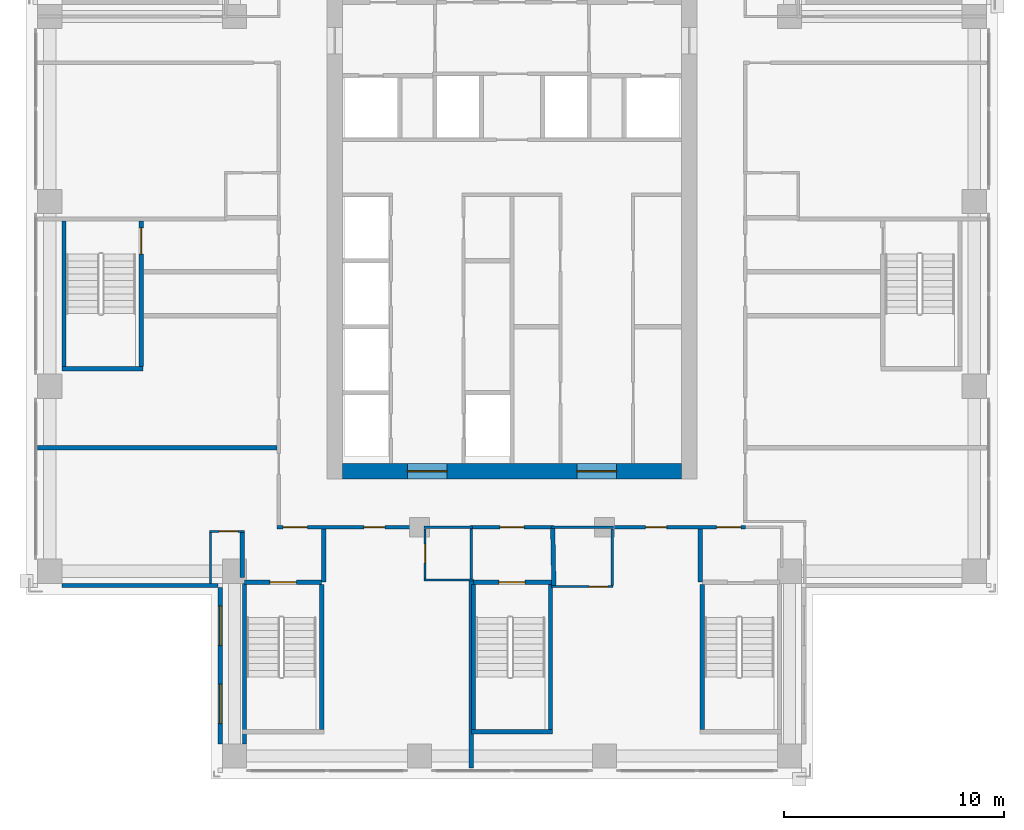
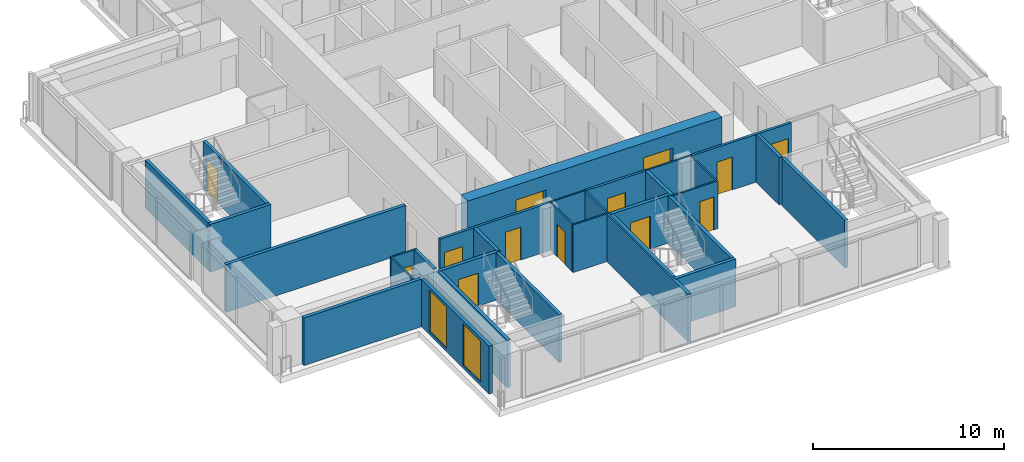
# One storey, part 9 of 16: 32 walls, 13 doors, 2 windows, 15 openings.
"""IFC4 building model written with IfcOpenShell, lengths in metres."""

import ifcopenshell
import ifcopenshell.guid

model = None  # the IFC model being written
_history = None  # IfcOwnerHistory: only IFC2X3 demands one
_inside = {}  # id of a spatial element -> (the spatial element, [elements in it])
_under = {}  # id of a project, library or spatial element -> (it, [spatial elements below it])
_declared = {}  # id of a project -> (the project, [libraries it declares])
_typed = {}  # id of a type object -> (the type object, [elements of that type])
_made_of = {}  # id of a material, layer set ... -> (it, [elements and type objects made of it])


def new_model(schema):
    """Start an empty IFC model of exactly this schema.

    Asked for "IFC4X3", IfcOpenShell would pick the latest addendum, in which some entities
    have other attributes; the version numbers below select the first issue.
    IFC2X3 requires an IfcOwnerHistory on every rooted entity: one is made here for all.
    """
    global model, _history
    if schema == "IFC4X3":
        model = ifcopenshell.file(schema_version=(4, 3, 0, 0))
    else:
        model = ifcopenshell.file(schema=schema)
    _inside.clear()
    _under.clear()
    _declared.clear()
    _typed.clear()
    _made_of.clear()
    _history = None
    if model.schema == "IFC2X3":
        org = make("IfcOrganization", Name="unknown")
        user = make(
            "IfcPersonAndOrganization",
            ThePerson=make("IfcPerson", FamilyName="unknown"),
            TheOrganization=org,
        )
        app = make(
            "IfcApplication",
            ApplicationDeveloper=org,
            Version="unknown",
            ApplicationFullName="unknown",
            ApplicationIdentifier="unknown",
        )
        _history = make(
            "IfcOwnerHistory",
            OwningUser=user,
            OwningApplication=app,
            ChangeAction="ADDED",
            CreationDate=0,
        )
    return model


def make(cls, **values):
    """One entity of the class cls with the attributes given. An attribute that is None is left unset."""
    return model.create_entity(
        cls, **{name: value for name, value in values.items() if value is not None}
    )


def rooted(cls, **values):
    """An entity with a GlobalId (a new one), such as an element, a storey or a relation."""
    return make(cls, GlobalId=ifcopenshell.guid.new(), OwnerHistory=_history, **values)


def si_unit(unit_type, name, prefix=None):
    """IfcSIUnit, for example si_unit("LENGTHUNIT", "METRE", prefix="MILLI")."""
    return make("IfcSIUnit", UnitType=unit_type, Prefix=prefix, Name=name)


def assignment(units):
    """IfcUnitAssignment: the units of a project."""
    return None if units is None else make("IfcUnitAssignment", Units=units)


def point(xyz):
    """IfcCartesianPoint."""
    return None if xyz is None else make("IfcCartesianPoint", Coordinates=xyz)


def direction(xyz):
    """IfcDirection."""
    return None if xyz is None else make("IfcDirection", DirectionRatios=xyz)


def frame(location, z_axis=None, x_axis=None):
    """IfcAxis2Placement3D, a coordinate frame: its origin and axes. An axis left out is left unset."""
    return make(
        "IfcAxis2Placement3D",
        Location=point(location),
        Axis=direction(z_axis),
        RefDirection=direction(x_axis),
    )


def frame_2d(location, x_axis=None):
    """IfcAxis2Placement2D, a coordinate frame in the plane: its origin and x axis."""
    return make(
        "IfcAxis2Placement2D", Location=point(location), RefDirection=direction(x_axis)
    )


def origin():
    """The frame at (0, 0, 0) with its axes left unset."""
    return frame((0.0, 0.0, 0.0))


def place(relative_to, where):
    """IfcLocalPlacement: puts the frame where relative to a parent placement (None: the world)."""
    return make(
        "IfcLocalPlacement", PlacementRelTo=relative_to, RelativePlacement=where
    )


def context(
    kind, dimensions, precision=None, world=None, true_north=None, identifier=None
):
    """IfcGeometricRepresentationContext, for example the 3D "Model" context."""
    return make(
        "IfcGeometricRepresentationContext",
        ContextIdentifier=identifier,
        ContextType=kind,
        CoordinateSpaceDimension=dimensions,
        Precision=precision,
        WorldCoordinateSystem=world,
        TrueNorth=true_north,
    )


def subcontext(parent, identifier, kind, view, scale=None):
    """IfcGeometricRepresentationSubContext, for example "Body" below "Model"."""
    return make(
        "IfcGeometricRepresentationSubContext",
        ContextIdentifier=identifier,
        ContextType=kind,
        ParentContext=parent,
        TargetScale=scale,
        TargetView=view,
    )


def project(units=None, contexts=None):
    """IfcProject with its units and contexts."""
    return rooted(
        "IfcProject",
        Name="project",
        RepresentationContexts=contexts,
        UnitsInContext=assignment(units),
    )


def spatial(cls, under=None, at=None, **own):
    """A site, building, storey or space (cls), placed at a placement, below another one or the project."""
    s = rooted(cls, ObjectPlacement=at, **own)
    if under is not None:
        _under.setdefault(under.id(), (under, []))[1].append(s)
    return s


def profile(cls, at=None, kind="AREA", **sizes):
    """A parametric profile (cls). Its sizes go by their IFC names, for example OverallWidth=200.0."""
    return make(cls, ProfileType=kind, Position=at, **sizes)


def rectangle(**sizes):
    """IfcRectangleProfileDef."""
    return profile("IfcRectangleProfileDef", **sizes)


def extrude(swept, where, along, depth):
    """IfcExtrudedAreaSolid: the profile swept, set in the frame where, extruded along a direction by depth."""
    return make(
        "IfcExtrudedAreaSolid",
        SweptArea=swept,
        Position=where,
        ExtrudedDirection=direction(along),
        Depth=depth,
    )


def shape(context_of_items, identifier, shape_type, items):
    """IfcShapeRepresentation: the items that make up one representation, for example the "Body"."""
    return make(
        "IfcShapeRepresentation",
        ContextOfItems=context_of_items,
        RepresentationIdentifier=identifier,
        RepresentationType=shape_type,
        Items=items,
    )


def material(Name=None, Category=None):
    """IfcMaterial."""
    return make("IfcMaterial", Name=Name, Category=Category)


def layer(
    of_material, thickness, ventilated=None, Name=None, Category=None, Priority=None
):
    """IfcMaterialLayer: one layer of a wall or slab, of a material (None: an air gap)."""
    return make(
        "IfcMaterialLayer",
        Material=of_material,
        LayerThickness=thickness,
        IsVentilated=ventilated,
        Name=Name,
        Category=Category,
        Priority=Priority,
    )


def layer_set(layers, Name=None):
    """IfcMaterialLayerSet."""
    return make("IfcMaterialLayerSet", MaterialLayers=layers, LayerSetName=Name)


def made_of(thing, what):
    """Note that an element or type object is made of a material, layer set ...; save() writes the relation."""
    if what is not None:
        _made_of.setdefault(what.id(), (what, []))[1].append(thing)
    return thing


def type_object(cls, material=None, **own):
    """A type object (cls), such as IfcWallType, which elements share."""
    return made_of(rooted(cls, **own), material)


def element(
    cls,
    number,
    at=None,
    inside=None,
    cuts=None,
    type_object=None,
    material=None,
    context=None,
    identifier="Body",
    shape_type=None,
    held_by="IfcProductDefinitionShape",
    body=None,
    shapes=None,
    **own,
):
    """One element of the class cls, such as IfcWall. Its Tag is "e" and its number.

    at: its placement. inside: the storey or other place that contains it. cuts: it is an
    opening in that element (IfcRelVoidsElement). A single representation is given by context,
    identifier, shape_type and body (its items); several are given by shapes. held_by: the class
    of the entity that holds the representations. save() writes the other relations.
    """
    e = rooted(cls, Tag="e%d" % number, ObjectPlacement=at, **own)
    if body is not None:
        shapes = [shape(context, identifier, shape_type, body)]
    if shapes is not None:
        e.Representation = make(held_by, Representations=shapes)
    if inside is not None:
        _inside.setdefault(inside.id(), (inside, []))[1].append(e)
    if cuts is not None:
        rooted(
            "IfcRelVoidsElement", RelatingBuildingElement=cuts, RelatedOpeningElement=e
        )
    if type_object is not None:
        _typed.setdefault(type_object.id(), (type_object, []))[1].append(e)
    return made_of(e, material)


def fill(opening, filler):
    """IfcRelFillsElement: the door or window that sits in an opening."""
    return rooted(
        "IfcRelFillsElement",
        RelatingOpeningElement=opening,
        RelatedBuildingElement=filler,
    )


def aggregate(whole, parts):
    """IfcRelAggregates: a whole, such as a stair, and the parts it consists of."""
    return rooted("IfcRelAggregates", RelatingObject=whole, RelatedObjects=parts)


def save(model, path):
    """Write the relations noted so far, then the file.

    IfcRelAggregates (storeys below a building ...), IfcRelContainedInSpatialStructure (elements
    in a storey), IfcRelDefinesByType, IfcRelAssociatesMaterial and IfcRelDeclares: one each for
    every whole, place, type object, material and project.
    """
    for whole, parts in _under.values():
        aggregate(whole, parts)
    for where, things in _inside.values():
        rooted(
            "IfcRelContainedInSpatialStructure",
            RelatedElements=things,
            RelatingStructure=where,
        )
    for kind, things in _typed.values():
        rooted("IfcRelDefinesByType", RelatedObjects=things, RelatingType=kind)
    for what, things in _made_of.values():
        rooted("IfcRelAssociatesMaterial", RelatedObjects=things, RelatingMaterial=what)
    for by, libraries in _declared.values():
        rooted("IfcRelDeclares", RelatingContext=by, RelatedDefinitions=libraries)
    model.write(path)


model = new_model("IFC4")

# Units and contexts
model_context = context("Model", 3, precision=1e-05, world=origin(), true_north=direction((0.0, 1.0)))
body_context = subcontext(model_context, "Body", "Model", "MODEL_VIEW")
ifc_project = project(units=[si_unit("LENGTHUNIT", "METRE"), si_unit("AREAUNIT", "SQUARE_METRE"), si_unit("VOLUMEUNIT", "CUBIC_METRE"), si_unit("PLANEANGLEUNIT", "RADIAN"), si_unit("MASSUNIT", "GRAM", prefix="KILO")], contexts=[model_context])

# Site, building, storey
site_placement = place(None, origin())
site = spatial("IfcSite", under=ifc_project, at=site_placement, CompositionType="ELEMENT")
building_placement = place(site_placement, origin())
building = spatial("IfcBuilding", under=site, at=building_placement, Name="Vermilion Ogive Tower", CompositionType="ELEMENT")
storey_placement = place(building_placement, frame((0.0, 0.0, 136.550048828125)))
storey = spatial("IfcBuildingStorey", under=building, at=storey_placement, Name="L34", CompositionType="ELEMENT", Elevation=136.550048828125)

# Wall, openings, doors
ifc_material_1 = material(Name="Concrete B60", Category="concrete")
ifc_layer_1 = layer(ifc_material_1, 0.699951171875)
ifc_layer_set_1 = layer_set([ifc_layer_1], Name="Core wall 700 B60")
wall_type_1 = type_object("IfcWallType", Name="Core wall 700 B60", PredefinedType="SHEAR", material=ifc_layer_set_1)
wall_1_placement = place(storey_placement, frame((-7.699951171875, -8.050048828125, -0.400146484375), z_axis=(0.0, 0.0, 1.0), x_axis=(1.0, 0.0, 0.0)))
wall_1 = element("IfcWall", 1, at=wall_1_placement, inside=storey, type_object=wall_type_1, Name="L34-CORE-S", PredefinedType="SHEAR", context=body_context, shape_type="SweptSolid", body=[
    extrude(rectangle(XDim=15.39990234375, YDim=0.699951171875, at=frame_2d((7.699951171875, 0.0))), origin(), (0.0, 0.0, 1.0), 3.4501953125),
])
opening_1_placement = place(wall_1_placement, frame((2.949951171875, 0.0, 0.39990234375)))
opening_1 = element("IfcOpeningElement", 2, at=opening_1_placement, cuts=wall_1, Name="Opening DAH025", PredefinedType="OPENING", context=body_context, shape_type="SweptSolid", body=[
    extrude(rectangle(XDim=1.800048828125, YDim=2.10009765625, at=frame_2d((0.89990234375, 1.050048828125))), frame((0.0, 0.35986328125, 0.0), z_axis=(0.0, -1.0, 0.0), x_axis=(1.0, 0.0, 0.0)), (0.0, 0.0, 1.0), 0.719970703125),
])
opening_2_placement = place(wall_1_placement, frame((10.64990234375, 0.0, 0.39990234375)))
opening_2 = element("IfcOpeningElement", 3, at=opening_2_placement, cuts=wall_1, Name="Opening DAH026", PredefinedType="OPENING", context=body_context, shape_type="SweptSolid", body=[
    extrude(rectangle(XDim=1.800048828125, YDim=2.10009765625, at=frame_2d((0.89990234375, 1.050048828125))), frame((0.0, 0.35986328125, 0.0), z_axis=(0.0, -1.0, 0.0), x_axis=(1.0, 0.0, 0.0)), (0.0, 0.0, 1.0), 0.719970703125),
])
ifc_material_2 = material(Name="Timber door leaf", Category="wood")
door_type_1 = type_object("IfcDoorType", Name="Core entry door 1800 x 2100 FD60S", OperationType="DOUBLE_DOOR_SINGLE_SWING", PredefinedType="DOOR", material=ifc_material_2)
door_1_placement = place(opening_1_placement, origin())
door_1 = element("IfcDoor", 4, at=door_1_placement, inside=storey, type_object=door_type_1, Name="L34-CK-XD1", OperationType="SINGLE_SWING_LEFT", OverallHeight=2.10009765625, OverallWidth=1.800048828125, PredefinedType="DOOR", context=body_context, shape_type="SweptSolid", body=[
    extrude(rectangle(XDim=1.800048828125, YDim=2.10009765625, at=frame_2d((0.89990234375, 1.050048828125))), frame((0.0, 0.02490234375, 0.0), z_axis=(0.0, -1.0, 0.0), x_axis=(1.0, 0.0, 0.0)), (0.0, 0.0, 1.0), 0.050048828125),
])
fill(opening_1, door_1)
door_2_placement = place(opening_2_placement, origin())
door_2 = element("IfcDoor", 5, at=door_2_placement, inside=storey, type_object=door_type_1, Name="L34-CK-XD2", OperationType="SINGLE_SWING_LEFT", OverallHeight=2.10009765625, OverallWidth=1.800048828125, PredefinedType="DOOR", context=body_context, shape_type="SweptSolid", body=[
    extrude(rectangle(XDim=1.800048828125, YDim=2.10009765625, at=frame_2d((0.89990234375, 1.050048828125))), frame((0.0, 0.02490234375, 0.0), z_axis=(0.0, -1.0, 0.0), x_axis=(1.0, 0.0, 0.0)), (0.0, 0.0, 1.0), 0.050048828125),
])
fill(opening_2, door_2)

# Wall, opening, door
ifc_material_3 = material(Name="Gypsum board partition on steel studs", Category="steel")
ifc_layer_2 = layer(ifc_material_3, 0.10009765625)
ifc_layer_set_2 = layer_set([ifc_layer_2], Name="Partition 100 bath")
wall_type_2 = type_object("IfcWallType", Name="Partition 100 bath", PredefinedType="PARTITIONING", material=ifc_layer_set_2)
wall_2_placement = place(storey_placement, frame((1.802001953125, -13.300048828125, 0.0), z_axis=(0.0, 0.0, 1.0), x_axis=(1.0, 0.0, 0.0)))
wall_2 = element("IfcWall", 6, at=wall_2_placement, inside=storey, type_object=wall_type_2, Name="L34-W-W002", PredefinedType="PARTITIONING", context=body_context, shape_type="SweptSolid", body=[
    extrude(rectangle(XDim=2.7958984375, YDim=0.10009765625, at=frame_2d((1.39794921875, 0.0))), origin(), (0.0, 0.0, 1.0), 3.050048828125),
])
opening_3_placement = place(wall_2_placement, frame((1.697998046875, 0.0, 0.0)))
opening_3 = element("IfcOpeningElement", 7, at=opening_3_placement, cuts=wall_2, Name="Opening D3G1010", PredefinedType="OPENING", context=body_context, shape_type="SweptSolid", body=[
    extrude(rectangle(XDim=0.85009765625, YDim=2.10009765625, at=frame_2d((0.425048828125, 1.050048828125))), frame((0.0, 0.06005859375, 0.0), z_axis=(0.0, -1.0, 0.0), x_axis=(1.0, 0.0, 0.0)), (0.0, 0.0, 1.0), 0.1201171875),
])
ifc_material_4 = material(Name="Timber door leaf", Category="wood")
door_type_2 = type_object("IfcDoorType", Name="Bath door 850 x 2100 FD30", OperationType="SINGLE_SWING_LEFT", PredefinedType="DOOR", material=ifc_material_4)
door_3_placement = place(opening_3_placement, origin())
door_3 = element("IfcDoor", 8, at=door_3_placement, inside=storey, type_object=door_type_2, Name="L34-D-D010", OperationType="SINGLE_SWING_RIGHT", OverallHeight=2.10009765625, OverallWidth=0.85009765625, PredefinedType="DOOR", context=body_context, shape_type="SweptSolid", body=[
    extrude(rectangle(XDim=0.85009765625, YDim=2.10009765625, at=frame_2d((0.425048828125, 1.050048828125))), frame((0.0, 0.02490234375, 0.0), z_axis=(0.0, -1.0, 0.0), x_axis=(1.0, 0.0, 0.0)), (0.0, 0.0, 1.0), 0.050048828125),
])
fill(opening_3, door_3)

# Wall
wall_3_placement = place(storey_placement, frame((-4.0, -13.0, 0.0), z_axis=(0.0, 0.0, 1.0), x_axis=(1.0, 0.0, 0.0)))
element("IfcWall", 9, at=wall_3_placement, inside=storey, type_object=wall_type_2, Name="L34-W-W006", PredefinedType="PARTITIONING", context=body_context, shape_type="SweptSolid", body=[
    extrude(rectangle(XDim=2.25, YDim=0.10009765625, at=frame_2d((1.125, 0.0))), origin(), (0.0, 0.0, 1.0), 3.050048828125),
])

# Wall, opening, door
wall_4_placement = place(storey_placement, frame((-13.75, -10.7900390625, 0.0), z_axis=(0.0, 0.0, 1.0), x_axis=(1.0, 0.0, 0.0)))
wall_4 = element("IfcWall", 10, at=wall_4_placement, inside=storey, type_object=wall_type_2, Name="L34-W-W007", PredefinedType="PARTITIONING", context=body_context, shape_type="SweptSolid", body=[
    extrude(rectangle(XDim=1.60009765625, YDim=0.10009765625, at=frame_2d((0.800048828125, 0.0))), origin(), (0.0, 0.0, 1.0), 3.050048828125),
])
opening_4_placement = place(wall_4_placement, frame((0.449951171875, 0.0, 0.0)))
opening_4 = element("IfcOpeningElement", 11, at=opening_4_placement, cuts=wall_4, Name="Opening D3G1002", PredefinedType="OPENING", context=body_context, shape_type="SweptSolid", body=[
    extrude(rectangle(XDim=0.85009765625, YDim=2.10009765625, at=frame_2d((0.425048828125, 1.050048828125))), frame((0.0, 0.06005859375, 0.0), z_axis=(0.0, -1.0, 0.0), x_axis=(1.0, 0.0, 0.0)), (0.0, 0.0, 1.0), 0.1201171875),
])
door_4_placement = place(opening_4_placement, origin())
door_4 = element("IfcDoor", 12, at=door_4_placement, inside=storey, type_object=door_type_2, Name="L34-D-D002", OperationType="SINGLE_SWING_RIGHT", OverallHeight=2.10009765625, OverallWidth=0.85009765625, PredefinedType="DOOR", context=body_context, shape_type="SweptSolid", body=[
    extrude(rectangle(XDim=0.85009765625, YDim=2.10009765625, at=frame_2d((0.425048828125, 1.050048828125))), frame((0.0, 0.02490234375, 0.0), z_axis=(0.0, -1.0, 0.0), x_axis=(1.0, 0.0, 0.0)), (0.0, 0.0, 1.0), 0.050048828125),
])
fill(opening_4, door_4)

# Walls
wall_5_placement = place(storey_placement, frame((-4.0, -10.60009765625, 0.0), z_axis=(0.0, 0.0, 1.0), x_axis=(1.0, 0.0, 0.0)))
element("IfcWall", 13, at=wall_5_placement, inside=storey, type_object=wall_type_2, Name="L34-W-W009", PredefinedType="PARTITIONING", context=body_context, shape_type="SweptSolid", body=[
    extrude(rectangle(XDim=2.199951171875, YDim=0.10009765625, at=frame_2d((1.10009765625, 0.0))), origin(), (0.0, 0.0, 1.0), 3.050048828125),
])
wall_6_placement = place(storey_placement, frame((1.800048828125, -10.60009765625, 0.0), z_axis=(0.0, 0.0, 1.0), x_axis=(1.0, 0.0, 0.0)))
element("IfcWall", 14, at=wall_6_placement, inside=storey, type_object=wall_type_2, Name="L34-W-W011", PredefinedType="PARTITIONING", context=body_context, shape_type="SweptSolid", body=[
    extrude(rectangle(XDim=2.800048828125, YDim=0.10009765625, at=frame_2d((1.39990234375, 0.0))), origin(), (0.0, 0.0, 1.0), 3.050048828125),
])
wall_7_placement = place(storey_placement, frame((-13.699951171875, -13.14990234375, 0.0), z_axis=(0.0, 0.0, 1.0), x_axis=(0.0, 1.0, 0.0)))
element("IfcWall", 15, at=wall_7_placement, inside=storey, type_object=wall_type_2, Name="L34-W-W039", PredefinedType="PARTITIONING", context=body_context, shape_type="SweptSolid", body=[
    extrude(rectangle(XDim=2.309814453125, YDim=0.10009765625, at=frame_2d((1.15478515625, 0.0))), origin(), (0.0, 0.0, 1.0), 3.050048828125),
])

# Wall, opening, door
wall_8_placement = place(storey_placement, frame((-3.949951171875, -12.949951171875, 0.0), z_axis=(0.0, 0.0, 1.0), x_axis=(0.0, 1.0, 0.0)))
wall_8 = element("IfcWall", 16, at=wall_8_placement, inside=storey, type_object=wall_type_2, Name="L34-W-W050", PredefinedType="PARTITIONING", context=body_context, shape_type="SweptSolid", body=[
    extrude(rectangle(XDim=2.27490234375, YDim=0.10009765625, at=frame_2d((1.137451171875, 0.0))), origin(), (0.0, 0.0, 1.0), 3.050048828125),
])
opening_5_placement = place(wall_8_placement, frame((0.724853515625, 0.0, 0.0)))
opening_5 = element("IfcOpeningElement", 17, at=opening_5_placement, cuts=wall_8, Name="Opening D3G1008", PredefinedType="OPENING", context=body_context, shape_type="SweptSolid", body=[
    extrude(rectangle(XDim=0.85009765625, YDim=2.10009765625, at=frame_2d((0.425048828125, 1.050048828125))), frame((0.0, 0.06005859375, 0.0), z_axis=(0.0, -1.0, 0.0), x_axis=(1.0, 0.0, 0.0)), (0.0, 0.0, 1.0), 0.1201171875),
])
door_5_placement = place(opening_5_placement, origin())
door_5 = element("IfcDoor", 18, at=door_5_placement, inside=storey, type_object=door_type_2, Name="L34-D-D008", OperationType="SINGLE_SWING_RIGHT", OverallHeight=2.10009765625, OverallWidth=0.85009765625, PredefinedType="DOOR", context=body_context, shape_type="SweptSolid", body=[
    extrude(rectangle(XDim=0.85009765625, YDim=2.10009765625, at=frame_2d((0.425048828125, 1.050048828125))), frame((0.0, 0.02490234375, 0.0), z_axis=(0.0, -1.0, 0.0), x_axis=(1.0, 0.0, 0.0)), (0.0, 0.0, 1.0), 0.050048828125),
])
fill(opening_5, door_5)

# Walls
wall_9_placement = place(storey_placement, frame((-1.85009765625, -12.949951171875, 0.0), z_axis=(0.0, 0.0, 1.0), x_axis=(0.0, 1.0, 0.0)))
element("IfcWall", 19, at=wall_9_placement, inside=storey, type_object=wall_type_2, Name="L34-W-W052", PredefinedType="PARTITIONING", context=body_context, shape_type="SweptSolid", body=[
    extrude(rectangle(XDim=2.27490234375, YDim=0.10009765625, at=frame_2d((1.137451171875, 0.0))), origin(), (0.0, 0.0, 1.0), 3.050048828125),
])
wall_10_placement = place(storey_placement, frame((4.550048828125, -13.248046875, 0.0), z_axis=(0.0, 0.0, 1.0), x_axis=(0.0, 1.0, 0.0)))
element("IfcWall", 20, at=wall_10_placement, inside=storey, type_object=wall_type_2, Name="L34-W-W056", PredefinedType="PARTITIONING", context=body_context, shape_type="SweptSolid", body=[
    extrude(rectangle(XDim=2.572998046875, YDim=0.10009765625, at=frame_2d((1.28662109375, 0.0))), origin(), (0.0, 0.0, 1.0), 3.050048828125),
])

# Wall, openings, doors
ifc_material_5 = material(Name="Gypsum board partition on steel studs", Category="steel")
ifc_layer_3 = layer(ifc_material_5, 0.14990234375)
ifc_layer_set_3 = layer_set([ifc_layer_3], Name="Partition 150 corridor")
wall_type_3 = type_object("IfcWallType", Name="Partition 150 corridor", PredefinedType="PARTITIONING", material=ifc_layer_set_3)
wall_11_placement = place(storey_placement, frame((-10.675048828125, -10.60009765625, 0.0), z_axis=(0.0, 0.0, 1.0), x_axis=(1.0, 0.0, 0.0)))
wall_11 = element("IfcWall", 21, at=wall_11_placement, inside=storey, type_object=wall_type_3, Name="L34-W-W008", PredefinedType="PARTITIONING", context=body_context, shape_type="SweptSolid", body=[
    extrude(rectangle(XDim=6.775146484375, YDim=0.14990234375, at=frame_2d((3.3876953125, 0.0))), origin(), (0.0, 0.0, 1.0), 3.050048828125),
])
opening_6_placement = place(wall_11_placement, frame((3.949951171875, 0.0, 0.0)))
opening_6 = element("IfcOpeningElement", 22, at=opening_6_placement, cuts=wall_11, Name="Opening D3G1007", PredefinedType="OPENING", context=body_context, shape_type="SweptSolid", body=[
    extrude(rectangle(XDim=0.949951171875, YDim=2.10009765625, at=frame_2d((0.47509765625, 1.050048828125))), frame((0.0, 0.0849609375, 0.0), z_axis=(0.0, -1.0, 0.0), x_axis=(1.0, 0.0, 0.0)), (0.0, 0.0, 1.0), 0.169921875),
])
opening_7_placement = place(wall_11_placement, frame((0.275146484375, 0.0, 0.0)))
opening_7 = element("IfcOpeningElement", 23, at=opening_7_placement, cuts=wall_11, Name="Opening D3G1017", PredefinedType="OPENING", context=body_context, shape_type="SweptSolid", body=[
    extrude(rectangle(XDim=1.10009765625, YDim=2.10009765625, at=frame_2d((0.550048828125, 1.050048828125))), frame((0.0, 0.0849609375, 0.0), z_axis=(0.0, -1.0, 0.0), x_axis=(1.0, 0.0, 0.0)), (0.0, 0.0, 1.0), 0.169921875),
])
ifc_material_6 = material(Name="Timber door leaf", Category="wood")
door_type_3 = type_object("IfcDoorType", Name="Stair door 1100 x 2100 FD60S", OperationType="SINGLE_SWING_LEFT", PredefinedType="DOOR", material=ifc_material_6)
door_6_placement = place(opening_7_placement, origin())
door_6 = element("IfcDoor", 24, at=door_6_placement, inside=storey, type_object=door_type_3, Name="L34-D-D017", OperationType="SINGLE_SWING_RIGHT", OverallHeight=2.10009765625, OverallWidth=1.10009765625, PredefinedType="DOOR", context=body_context, shape_type="SweptSolid", body=[
    extrude(rectangle(XDim=1.10009765625, YDim=2.10009765625, at=frame_2d((0.550048828125, 1.050048828125))), frame((0.0, 0.02490234375, 0.0), z_axis=(0.0, -1.0, 0.0), x_axis=(1.0, 0.0, 0.0)), (0.0, 0.0, 1.0), 0.050048828125),
])
fill(opening_7, door_6)
ifc_material_7 = material(Name="Timber door leaf", Category="wood")
door_type_4 = type_object("IfcDoorType", Name="Unit door 950 x 2100 FD30S", OperationType="SINGLE_SWING_LEFT", PredefinedType="DOOR", material=ifc_material_7)
door_7_placement = place(opening_6_placement, origin())
door_7 = element("IfcDoor", 25, at=door_7_placement, inside=storey, type_object=door_type_4, Name="L34-D-D007", OperationType="SINGLE_SWING_RIGHT", OverallHeight=2.10009765625, OverallWidth=0.949951171875, PredefinedType="DOOR", context=body_context, shape_type="SweptSolid", body=[
    extrude(rectangle(XDim=0.949951171875, YDim=2.10009765625, at=frame_2d((0.47509765625, 1.050048828125))), frame((0.0, 0.02490234375, 0.0), z_axis=(0.0, -1.0, 0.0), x_axis=(1.0, 0.0, 0.0)), (0.0, 0.0, 1.0), 0.050048828125),
])
fill(opening_6, door_7)

# Wall, opening, door
wall_12_placement = place(storey_placement, frame((-1.89990234375, -10.60009765625, 0.0), z_axis=(0.0, 0.0, 1.0), x_axis=(1.0, 0.0, 0.0)))
wall_12 = element("IfcWall", 26, at=wall_12_placement, inside=storey, type_object=wall_type_3, Name="L34-W-W010", PredefinedType="PARTITIONING", context=body_context, shape_type="SweptSolid", body=[
    extrude(rectangle(XDim=3.7998046875, YDim=0.14990234375, at=frame_2d((1.89990234375, 0.0))), origin(), (0.0, 0.0, 1.0), 3.050048828125),
])
opening_8_placement = place(wall_12_placement, frame((1.349853515625, 0.0, 0.0)))
opening_8 = element("IfcOpeningElement", 27, at=opening_8_placement, cuts=wall_12, Name="Opening D3G1019", PredefinedType="OPENING", context=body_context, shape_type="SweptSolid", body=[
    extrude(rectangle(XDim=1.10009765625, YDim=2.10009765625, at=frame_2d((0.550048828125, 1.050048828125))), frame((0.0, 0.0849609375, 0.0), z_axis=(0.0, -1.0, 0.0), x_axis=(1.0, 0.0, 0.0)), (0.0, 0.0, 1.0), 0.169921875),
])
door_8_placement = place(opening_8_placement, origin())
door_8 = element("IfcDoor", 28, at=door_8_placement, inside=storey, type_object=door_type_3, Name="L34-D-D019", OperationType="SINGLE_SWING_RIGHT", OverallHeight=2.10009765625, OverallWidth=1.10009765625, PredefinedType="DOOR", context=body_context, shape_type="SweptSolid", body=[
    extrude(rectangle(XDim=1.10009765625, YDim=2.10009765625, at=frame_2d((0.550048828125, 1.050048828125))), frame((0.0, 0.02490234375, 0.0), z_axis=(0.0, -1.0, 0.0), x_axis=(1.0, 0.0, 0.0)), (0.0, 0.0, 1.0), 0.050048828125),
])
fill(opening_8, door_8)

# Wall, openings, doors
wall_13_placement = place(storey_placement, frame((4.5, -10.60009765625, 0.0), z_axis=(0.0, 0.0, 1.0), x_axis=(1.0, 0.0, 0.0)))
wall_13 = element("IfcWall", 29, at=wall_13_placement, inside=storey, type_object=wall_type_3, Name="L34-W-W012", PredefinedType="PARTITIONING", context=body_context, shape_type="SweptSolid", body=[
    extrude(rectangle(XDim=6.10009765625, YDim=0.14990234375, at=frame_2d((3.050048828125, 0.0))), origin(), (0.0, 0.0, 1.0), 3.050048828125),
])
opening_9_placement = place(wall_13_placement, frame((1.574951171875, 0.0, 0.0)))
opening_9 = element("IfcOpeningElement", 30, at=opening_9_placement, cuts=wall_13, Name="Opening D3G1009", PredefinedType="OPENING", context=body_context, shape_type="SweptSolid", body=[
    extrude(rectangle(XDim=0.949951171875, YDim=2.10009765625, at=frame_2d((0.47509765625, 1.050048828125))), frame((0.0, 0.0849609375, 0.0), z_axis=(0.0, -1.0, 0.0), x_axis=(1.0, 0.0, 0.0)), (0.0, 0.0, 1.0), 0.169921875),
])
opening_10_placement = place(wall_13_placement, frame((4.800048828125, 0.0, 0.0)))
opening_10 = element("IfcOpeningElement", 31, at=opening_10_placement, cuts=wall_13, Name="Opening D3G1021", PredefinedType="OPENING", context=body_context, shape_type="SweptSolid", body=[
    extrude(rectangle(XDim=1.10009765625, YDim=2.10009765625, at=frame_2d((0.550048828125, 1.050048828125))), frame((0.0, 0.0849609375, 0.0), z_axis=(0.0, -1.0, 0.0), x_axis=(1.0, 0.0, 0.0)), (0.0, 0.0, 1.0), 0.169921875),
])
door_9_placement = place(opening_10_placement, origin())
door_9 = element("IfcDoor", 32, at=door_9_placement, inside=storey, type_object=door_type_3, Name="L34-D-D021", OperationType="SINGLE_SWING_RIGHT", OverallHeight=2.10009765625, OverallWidth=1.10009765625, PredefinedType="DOOR", context=body_context, shape_type="SweptSolid", body=[
    extrude(rectangle(XDim=1.10009765625, YDim=2.10009765625, at=frame_2d((0.550048828125, 1.050048828125))), frame((0.0, 0.02490234375, 0.0), z_axis=(0.0, -1.0, 0.0), x_axis=(1.0, 0.0, 0.0)), (0.0, 0.0, 1.0), 0.050048828125),
])
fill(opening_10, door_9)
door_10_placement = place(opening_9_placement, origin())
door_10 = element("IfcDoor", 33, at=door_10_placement, inside=storey, type_object=door_type_4, Name="L34-D-D009", OperationType="SINGLE_SWING_LEFT", OverallHeight=2.10009765625, OverallWidth=0.949951171875, PredefinedType="DOOR", context=body_context, shape_type="SweptSolid", body=[
    extrude(rectangle(XDim=0.949951171875, YDim=2.10009765625, at=frame_2d((0.47509765625, 1.050048828125))), frame((0.0, 0.02490234375, 0.0), z_axis=(0.0, -1.0, 0.0), x_axis=(1.0, 0.0, 0.0)), (0.0, 0.0, 1.0), 0.050048828125),
])
fill(opening_9, door_10)

# Walls
ifc_material_8 = material(Name="Gypsum board partition on steel studs", Category="steel")
ifc_layer_4 = layer(ifc_material_8, 0.199951171875)
ifc_layer_set_4 = layer_set([ifc_layer_4], Name="Partition 200 party")
wall_type_4 = type_object("IfcWallType", Name="Partition 200 party", PredefinedType="PARTITIONING", material=ifc_layer_set_4)
wall_14_placement = place(storey_placement, frame((-21.550048828125, -7.0, 0.0), z_axis=(0.0, 0.0, 1.0), x_axis=(1.0, 0.0, 0.0)))
element("IfcWall", 34, at=wall_14_placement, inside=storey, type_object=wall_type_4, Name="L34-W-W015", PredefinedType="PARTITIONING", context=body_context, shape_type="SweptSolid", body=[
    extrude(rectangle(XDim=10.875, YDim=0.199951171875, at=frame_2d((5.4375, 0.0))), origin(), (0.0, 0.0, 1.0), 3.050048828125),
])
wall_15_placement = place(storey_placement, frame((-12.25, -12.889892578125, 0.0), z_axis=(0.0, 0.0, 1.0), x_axis=(0.0, 1.0, 0.0)))
element("IfcWall", 35, at=wall_15_placement, inside=storey, type_object=wall_type_4, Name="L34-W-W043", PredefinedType="PARTITIONING", context=body_context, shape_type="SweptSolid", body=[
    extrude(rectangle(XDim=2.0498046875, YDim=0.199951171875, at=frame_2d((1.02490234375, 0.0))), origin(), (0.0, 0.0, 1.0), 3.050048828125),
])
for number, where, z_axis, x_axis, name in (
    (36, (-8.550048828125, -13.10009765625, 0.0), (0.0, 0.0, 1.0), (0.0, 1.0, 0.0), "L34-W-W049"),
    (37, (8.550048828125, -13.10009765625, 0.0), (0.0, 0.0, 1.0), (0.0, 1.0, 0.0), "L34-W-W057"),
):
    element("IfcWall", number, at=place(storey_placement, frame(where, z_axis=z_axis, x_axis=x_axis)), inside=storey, type_object=wall_type_4, Name=name, PredefinedType="PARTITIONING", context=body_context, shape_type="SweptSolid", body=[
        extrude(rectangle(XDim=2.425048828125, YDim=0.199951171875, at=frame_2d((1.21240234375, 0.0))), origin(), (0.0, 0.0, 1.0), 3.050048828125),
    ])
ifc_material_9 = material(Name="Concrete B60", Category="concrete")
ifc_layer_5 = layer(ifc_material_9, 0.199951171875)
ifc_layer_set_5 = layer_set([ifc_layer_5], Name="Stair shaft wall 200 Concrete B60")
wall_type_5 = type_object("IfcWallType", Name="Stair shaft wall 200 Concrete B60", PredefinedType="SOLIDWALL", material=ifc_layer_set_5)
wall_16_placement = place(storey_placement, frame((-1.847900390625, -19.89990234375, 0.0), z_axis=(0.0, 0.0, 1.0), x_axis=(1.0, 0.0, 0.0)))
element("IfcWall", 38, at=wall_16_placement, inside=storey, type_object=wall_type_5, Name="L34-W-W001", PredefinedType="SOLIDWALL", context=body_context, shape_type="SweptSolid", body=[
    extrude(rectangle(XDim=3.69580078125, YDim=0.199951171875, at=frame_2d((1.847900390625, 0.0))), origin(), (0.0, 0.0, 1.0), 3.050048828125),
])

# Wall, opening, door
wall_17_placement = place(storey_placement, frame((-12.14990234375, -13.10009765625, 0.0), z_axis=(0.0, 0.0, 1.0), x_axis=(1.0, 0.0, 0.0)))
wall_17 = element("IfcWall", 39, at=wall_17_placement, inside=storey, type_object=wall_type_5, Name="L34-W-W003", PredefinedType="SOLIDWALL", context=body_context, shape_type="SweptSolid", body=[
    extrude(rectangle(XDim=3.5, YDim=0.199951171875, at=frame_2d((1.75, 0.0))), origin(), (0.0, 0.0, 1.0), 3.050048828125),
])
opening_11_placement = place(wall_17_placement, frame((1.14990234375, 0.0, 0.0)))
opening_11 = element("IfcOpeningElement", 40, at=opening_11_placement, cuts=wall_17, Name="Opening D3G1018", PredefinedType="OPENING", context=body_context, shape_type="SweptSolid", body=[
    extrude(rectangle(XDim=1.199951171875, YDim=2.10009765625, at=frame_2d((0.60009765625, 1.050048828125))), frame((0.0, 0.10986328125, 0.0), z_axis=(0.0, -1.0, 0.0), x_axis=(1.0, 0.0, 0.0)), (0.0, 0.0, 1.0), 0.219970703125),
])
ifc_material_10 = material(Name="Timber door leaf", Category="wood")
door_type_5 = type_object("IfcDoorType", Name="Stair door 1200 x 2100 FD60S", OperationType="SINGLE_SWING_LEFT", PredefinedType="DOOR", material=ifc_material_10)
door_11_placement = place(opening_11_placement, origin())
door_11 = element("IfcDoor", 41, at=door_11_placement, inside=storey, type_object=door_type_5, Name="L34-D-D018", OperationType="SINGLE_SWING_RIGHT", OverallHeight=2.10009765625, OverallWidth=1.199951171875, PredefinedType="DOOR", context=body_context, shape_type="SweptSolid", body=[
    extrude(rectangle(XDim=1.199951171875, YDim=2.10009765625, at=frame_2d((0.60009765625, 1.050048828125))), frame((0.0, 0.02490234375, 0.0), z_axis=(0.0, -1.0, 0.0), x_axis=(1.0, 0.0, 0.0)), (0.0, 0.0, 1.0), 0.050048828125),
])
fill(opening_11, door_11)

wall_18_placement = place(storey_placement, frame((-1.748046875, -13.10009765625, 0.0), z_axis=(0.0, 0.0, 1.0), x_axis=(1.0, 0.0, 0.0)))
wall_18 = element("IfcWall", 42, at=wall_18_placement, inside=storey, type_object=wall_type_5, Name="L34-W-W004", PredefinedType="SOLIDWALL", context=body_context, shape_type="SweptSolid", body=[
    extrude(rectangle(XDim=3.546142578125, YDim=0.199951171875, at=frame_2d((1.77294921875, 0.0))), origin(), (0.0, 0.0, 1.0), 3.050048828125),
])
opening_12_placement = place(wall_18_placement, frame((1.14794921875, 0.0, 0.0)))
opening_12 = element("IfcOpeningElement", 43, at=opening_12_placement, cuts=wall_18, Name="Opening D3G1020", PredefinedType="OPENING", context=body_context, shape_type="SweptSolid", body=[
    extrude(rectangle(XDim=1.199951171875, YDim=2.10009765625, at=frame_2d((0.60009765625, 1.050048828125))), frame((0.0, 0.10986328125, 0.0), z_axis=(0.0, -1.0, 0.0), x_axis=(1.0, 0.0, 0.0)), (0.0, 0.0, 1.0), 0.219970703125),
])
door_12_placement = place(opening_12_placement, origin())
door_12 = element("IfcDoor", 44, at=door_12_placement, inside=storey, type_object=door_type_5, Name="L34-D-D020", OperationType="SINGLE_SWING_RIGHT", OverallHeight=2.10009765625, OverallWidth=1.199951171875, PredefinedType="DOOR", context=body_context, shape_type="SweptSolid", body=[
    extrude(rectangle(XDim=1.199951171875, YDim=2.10009765625, at=frame_2d((0.60009765625, 1.050048828125))), frame((0.0, 0.02490234375, 0.0), z_axis=(0.0, -1.0, 0.0), x_axis=(1.0, 0.0, 0.0)), (0.0, 0.0, 1.0), 0.050048828125),
])
fill(opening_12, door_12)

# Walls
wall_19_placement = place(storey_placement, frame((-20.447998046875, -3.39990234375, 0.0), z_axis=(0.0, 0.0, 1.0), x_axis=(1.0, 0.0, 0.0)))
element("IfcWall", 45, at=wall_19_placement, inside=storey, type_object=wall_type_5, Name="L34-W-W017", PredefinedType="SOLIDWALL", context=body_context, shape_type="SweptSolid", body=[
    extrude(rectangle(XDim=3.696044921875, YDim=0.199951171875, at=frame_2d((1.84814453125, 0.0))), origin(), (0.0, 0.0, 1.0), 3.050048828125),
])
wall_20_placement = place(storey_placement, frame((-20.35009765625, -3.298095703125, 0.0), z_axis=(0.0, 0.0, 1.0), x_axis=(0.0, 1.0, 0.0)))
element("IfcWall", 46, at=wall_20_placement, inside=storey, type_object=wall_type_5, Name="L34-W-W037", PredefinedType="SOLIDWALL", context=body_context, shape_type="SweptSolid", body=[
    extrude(rectangle(XDim=6.59619140625, YDim=0.199951171875, at=frame_2d((3.298095703125, 0.0))), origin(), (0.0, 0.0, 1.0), 3.050048828125),
])

# Wall, opening, door
wall_21_placement = place(storey_placement, frame((-16.85009765625, -3.298095703125, 0.0), z_axis=(0.0, 0.0, 1.0), x_axis=(0.0, 1.0, 0.0)))
wall_21 = element("IfcWall", 47, at=wall_21_placement, inside=storey, type_object=wall_type_5, Name="L34-W-W038", PredefinedType="SOLIDWALL", context=body_context, shape_type="SweptSolid", body=[
    extrude(rectangle(XDim=6.59814453125, YDim=0.199951171875, at=frame_2d((3.299072265625, 0.0))), origin(), (0.0, 0.0, 1.0), 3.050048828125),
])
opening_13_placement = place(wall_21_placement, frame((5.10009765625, 0.0, 0.0)))
opening_13 = element("IfcOpeningElement", 48, at=opening_13_placement, cuts=wall_21, Name="Opening D3G1026", PredefinedType="OPENING", context=body_context, shape_type="SweptSolid", body=[
    extrude(rectangle(XDim=1.199951171875, YDim=2.10009765625, at=frame_2d((0.60009765625, 1.050048828125))), frame((0.0, 0.10986328125, 0.0), z_axis=(0.0, -1.0, 0.0), x_axis=(1.0, 0.0, 0.0)), (0.0, 0.0, 1.0), 0.219970703125),
])
door_13_placement = place(opening_13_placement, origin())
door_13 = element("IfcDoor", 49, at=door_13_placement, inside=storey, type_object=door_type_5, Name="L34-D-D026", OperationType="SINGLE_SWING_RIGHT", OverallHeight=2.10009765625, OverallWidth=1.199951171875, PredefinedType="DOOR", context=body_context, shape_type="SweptSolid", body=[
    extrude(rectangle(XDim=1.199951171875, YDim=2.10009765625, at=frame_2d((0.60009765625, 1.050048828125))), frame((0.0, 0.02490234375, 0.0), z_axis=(0.0, -1.0, 0.0), x_axis=(1.0, 0.0, 0.0)), (0.0, 0.0, 1.0), 0.050048828125),
])
fill(opening_13, door_13)

# Walls
for number, where, z_axis, x_axis, name in (
    (50, (-1.75, -19.798095703125, 0.0), (0.0, 0.0, 1.0), (0.0, 1.0, 0.0), "L34-W-W053"),
    (51, (1.75, -19.798095703125, 0.0), (0.0, 0.0, 1.0), (0.0, 1.0, 0.0), "L34-W-W054"),
):
    element("IfcWall", number, at=place(storey_placement, frame(where, z_axis=z_axis, x_axis=x_axis)), inside=storey, type_object=wall_type_5, Name=name, PredefinedType="SOLIDWALL", context=body_context, shape_type="SweptSolid", body=[
        extrude(rectangle(XDim=6.59619140625, YDim=0.199951171875, at=frame_2d((3.298095703125, 0.0))), origin(), (0.0, 0.0, 1.0), 3.050048828125),
    ])
wall_22_placement = place(storey_placement, frame((1.900146484375, -13.248046875, 0.0), z_axis=(0.0, 0.0, 1.0), x_axis=(-0.019076944695, 0.999818018532, 0.0)))
element("IfcWall", 52, at=wall_22_placement, inside=storey, type_object=wall_type_5, Name="L34-W-W055", PredefinedType="SOLIDWALL", context=body_context, shape_type="SweptSolid", body=[
    extrude(rectangle(XDim=2.62353515625, YDim=0.199951171875, at=frame_2d((1.311767578125, 0.0))), origin(), (0.0, 0.0, 1.0), 3.050048828125),
])
for number, where, z_axis, x_axis, name in (
    (53, (-8.64990234375, -19.800048828125, 0.0), (0.0, 0.0, 1.0), (0.0, 1.0, 0.0), "L34-SW-ST3-E1"),
    (54, (8.64990234375, -19.800048828125, 0.0), (0.0, 0.0, 1.0), (0.0, 1.0, 0.0), "L34-SW-ST5-W1"),
):
    element("IfcWall", number, at=place(storey_placement, frame(where, z_axis=z_axis, x_axis=x_axis)), inside=storey, type_object=wall_type_5, Name=name, PredefinedType="SOLIDWALL", context=body_context, shape_type="SweptSolid", body=[
        extrude(rectangle(XDim=6.60009765625, YDim=0.199951171875, at=frame_2d((3.300048828125, 0.0))), origin(), (0.0, 0.0, 1.0), 3.050048828125),
    ])
wall_23_placement = place(storey_placement, frame((-1.85009765625, -21.550048828125, 0.0), z_axis=(0.0, 0.0, 1.0), x_axis=(0.0, 1.0, 0.0)))
element("IfcWall", 55, at=wall_23_placement, inside=storey, type_object=wall_type_5, Name="L34-W-W051-A", PredefinedType="SOLIDWALL", context=body_context, shape_type="SweptSolid", body=[
    extrude(rectangle(XDim=8.5, YDim=0.199951171875, at=frame_2d((4.25, 0.0))), origin(), (0.0, 0.0, 1.0), 3.050048828125),
])
wall_24_placement = place(storey_placement, frame((-12.14990234375, -20.449951171875, 0.0), z_axis=(0.0, 0.0, 1.0), x_axis=(0.0, 1.0, 0.0)))
element("IfcWall", 56, at=wall_24_placement, inside=storey, type_object=wall_type_5, Name="L34-SW-ST3-W1-A", PredefinedType="SOLIDWALL", context=body_context, shape_type="SweptSolid", body=[
    extrude(rectangle(XDim=7.300048828125, YDim=0.199951171875, at=frame_2d((3.64990234375, 0.0))), origin(), (0.0, 0.0, 1.0), 3.050048828125),
])
ifc_material_11 = material(Name="Aluminium window wall framing", Category="aluminium")
ifc_layer_6 = layer(ifc_material_11, 0.199951171875)
ifc_layer_set_6 = layer_set([ifc_layer_6], Name="Window wall")
wall_type_6 = type_object("IfcWallType", Name="Window wall", PredefinedType="STANDARD", material=ifc_layer_set_6)
wall_25_placement = place(storey_placement, frame((-20.449951171875, -13.25, 0.0), z_axis=(0.0, 0.0, 1.0), x_axis=(1.0, 0.0, 0.0)))
element("IfcWall", 57, at=wall_25_placement, inside=storey, type_object=wall_type_6, Name="Window wall X71", PredefinedType="STANDARD", context=body_context, shape_type="SweptSolid", body=[
    extrude(rectangle(XDim=7.099853515625, YDim=0.199951171875, at=frame_2d((3.5498046875, 0.0))), origin(), (0.0, 0.0, 1.0), 3.050048828125),
])

# Wall, openings, windows
wall_26_placement = place(storey_placement, frame((-13.25, -13.35009765625, 0.0), z_axis=(0.0, 0.0, 1.0), x_axis=(0.0, -1.0, 0.0)))
wall_26 = element("IfcWall", 58, at=wall_26_placement, inside=storey, type_object=wall_type_6, Name="Window wall X81", PredefinedType="STANDARD", context=body_context, shape_type="SweptSolid", body=[
    extrude(rectangle(XDim=7.099853515625, YDim=0.199951171875, at=frame_2d((3.5498046875, 0.0))), origin(), (0.0, 0.0, 1.0), 3.050048828125),
])
opening_14_placement = place(wall_26_placement, frame((4.375, 0.0, 0.199951171875)))
opening_14 = element("IfcOpeningElement", 59, at=opening_14_placement, cuts=wall_26, Name="Opening W1-X895", PredefinedType="OPENING", context=body_context, shape_type="SweptSolid", body=[
    extrude(rectangle(XDim=1.800048828125, YDim=2.64990234375, at=frame_2d((0.89990234375, 1.324951171875))), frame((0.0, 0.10986328125, 0.0), z_axis=(0.0, -1.0, 0.0), x_axis=(1.0, 0.0, 0.0)), (0.0, 0.0, 1.0), 0.219970703125),
])
opening_15_placement = place(wall_26_placement, frame((0.824951171875, 0.0, 0.199951171875)))
opening_15 = element("IfcOpeningElement", 60, at=opening_15_placement, cuts=wall_26, Name="Opening W1-X896", PredefinedType="OPENING", context=body_context, shape_type="SweptSolid", body=[
    extrude(rectangle(XDim=1.800048828125, YDim=2.64990234375, at=frame_2d((0.89990234375, 1.324951171875))), frame((0.0, 0.10986328125, 0.0), z_axis=(0.0, -1.0, 0.0), x_axis=(1.0, 0.0, 0.0)), (0.0, 0.0, 1.0), 0.219970703125),
])
ifc_material_12 = material(Name="Aluminium framed double glazing", Category="aluminium")
window_type = type_object("IfcWindowType", Name="Guest window W1", PartitioningType="SINGLE_PANEL", PredefinedType="WINDOW", material=ifc_material_12)
window_1_placement = place(opening_14_placement, origin())
window_1 = element("IfcWindow", 61, at=window_1_placement, inside=storey, type_object=window_type, Name="Window X895", OverallHeight=2.64990234375, OverallWidth=1.800048828125, PartitioningType="SINGLE_PANEL", PredefinedType="WINDOW", context=body_context, shape_type="SweptSolid", body=[
    extrude(rectangle(XDim=1.800048828125, YDim=2.64990234375, at=frame_2d((0.89990234375, 1.324951171875))), frame((0.0, 0.030029296875, 0.0), z_axis=(0.0, -1.0, 0.0), x_axis=(1.0, 0.0, 0.0)), (0.0, 0.0, 1.0), 0.06005859375),
])
fill(opening_14, window_1)
window_2_placement = place(opening_15_placement, origin())
window_2 = element("IfcWindow", 62, at=window_2_placement, inside=storey, type_object=window_type, Name="Window X896", OverallHeight=2.64990234375, OverallWidth=1.800048828125, PartitioningType="SINGLE_PANEL", PredefinedType="WINDOW", context=body_context, shape_type="SweptSolid", body=[
    extrude(rectangle(XDim=1.800048828125, YDim=2.64990234375, at=frame_2d((0.89990234375, 1.324951171875))), frame((0.0, 0.030029296875, 0.0), z_axis=(0.0, -1.0, 0.0), x_axis=(1.0, 0.0, 0.0)), (0.0, 0.0, 1.0), 0.06005859375),
])
fill(opening_15, window_2)

save(model, "model.ifc")
